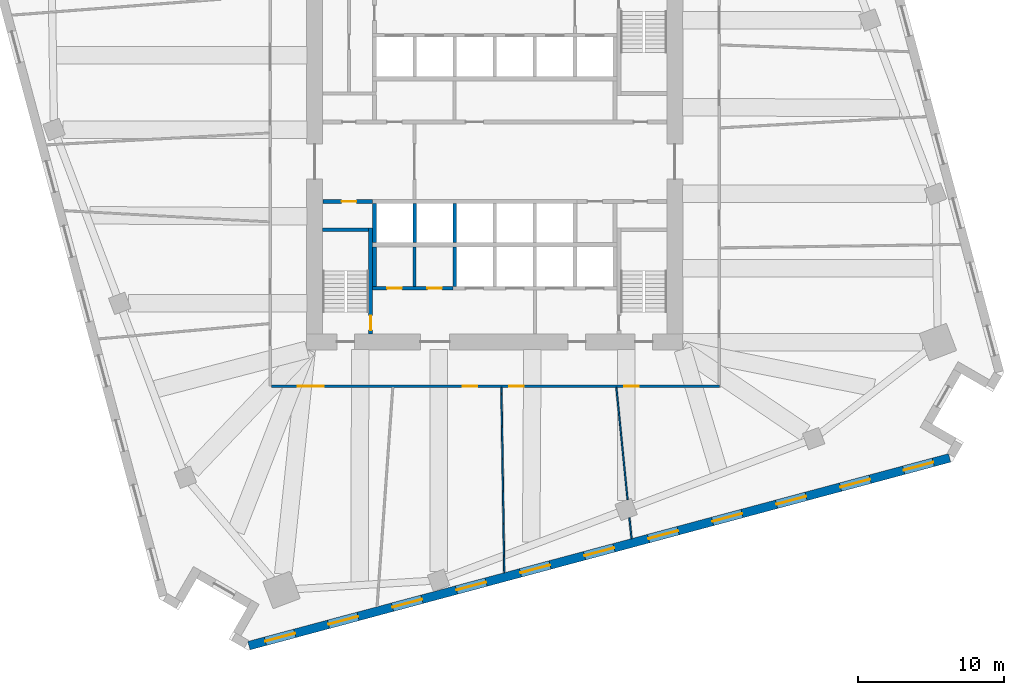
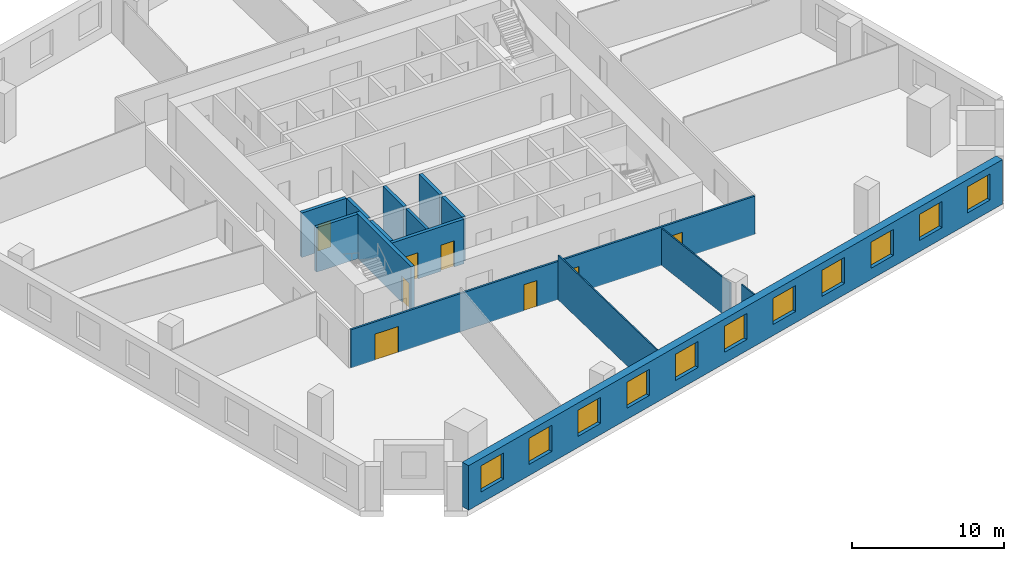
# One storey, part 6 of 13: 15 walls, 11 windows, 8 doors, 19 openings.
"""IFC4 building model written with IfcOpenShell, lengths in metres."""

from ifc_helpers import new_model, si_unit, direction, frame, frame_2d, origin, place, context, subcontext, project, spatial, rectangle, extrude, material, layer, layer_set, type_object, element, fill, save


model = new_model("IFC4")

# Units and contexts
model_context = context("Model", 3, precision=1e-05, world=origin(), true_north=direction((0.0, 1.0)))
body_context = subcontext(model_context, "Body", "Model", "MODEL_VIEW")
ifc_project = project(units=[si_unit("LENGTHUNIT", "METRE"), si_unit("AREAUNIT", "SQUARE_METRE"), si_unit("VOLUMEUNIT", "CUBIC_METRE"), si_unit("PLANEANGLEUNIT", "RADIAN"), si_unit("MASSUNIT", "GRAM", prefix="KILO")], contexts=[model_context])

# Site, building, storey
site_placement = place(None, origin())
site = spatial("IfcSite", under=ifc_project, at=site_placement, CompositionType="ELEMENT")
building_placement = place(site_placement, origin())
building = spatial("IfcBuilding", under=site, at=building_placement, Name="Dilmun Exchange Tower", CompositionType="ELEMENT")
storey_placement = place(building_placement, frame((0.0, 0.0, 86.10009765625)))
storey = spatial("IfcBuildingStorey", under=building, at=storey_placement, Name="L19", CompositionType="ELEMENT", Elevation=86.10009765625)

# Wall
ifc_material_1 = material(Name="Concrete C40/50", Category="concrete")
ifc_layer_1 = layer(ifc_material_1, 0.199951171875)
ifc_layer_set_1 = layer_set([ifc_layer_1], Name="Concrete C40/50")
wall_type_1 = type_object("IfcWallType", Name="Core partition wall 200", PredefinedType="PARTITIONING", material=ifc_layer_set_1)
wall_1_placement = place(storey_placement, frame((-5.5, -8.544921875, 0.0), z_axis=(0.0, 0.0, 1.0), x_axis=(0.0, 1.0, 0.0)))
element("IfcWall", 1, at=wall_1_placement, inside=storey, type_object=wall_type_1, Name="L19 core partition wall 04", PredefinedType="PARTITIONING", context=body_context, shape_type="SweptSolid", body=[
    extrude(rectangle(XDim=2.68994140625, YDim=0.199951171875, at=frame_2d((1.344970703125, 0.0))), origin(), (0.0, 0.0, 1.0), 3.579833984375),
])

# Wall, openings, doors
ifc_layer_2 = layer(ifc_material_1, 0.25)
ifc_layer_set_2 = layer_set([ifc_layer_2], Name="Concrete C40/50")
wall_type_2 = type_object("IfcWallType", Name="Core partition wall 250", PredefinedType="PARTITIONING", material=ifc_layer_set_2)
wall_2_placement = place(storey_placement, frame((-8.3701171875, -8.675048828125, 0.0), z_axis=(0.0, 0.0, 1.0), x_axis=(1.0, 0.0, 0.0)))
wall_2 = element("IfcWall", 2, at=wall_2_placement, inside=storey, type_object=wall_type_2, Name="L19 core partition wall 02", PredefinedType="PARTITIONING", context=body_context, shape_type="SweptSolid", body=[
    extrude(rectangle(XDim=5.490234375, YDim=0.25, at=frame_2d((2.7451171875, 0.0))), origin(), (0.0, 0.0, 1.0), 3.579833984375),
])
opening_1_placement = place(wall_2_placement, frame((0.9951171875, 0.0, 0.0)))
opening_1 = element("IfcOpeningElement", 3, at=opening_1_placement, cuts=wall_2, Name="Opening CD4", PredefinedType="OPENING", context=body_context, shape_type="SweptSolid", body=[
    extrude(rectangle(XDim=1.0, YDim=2.10009765625, at=frame_2d((0.5, 1.050048828125))), frame((0.0, 0.135009765625, 0.0), z_axis=(0.0, -1.0, 0.0), x_axis=(1.0, 0.0, 0.0)), (0.0, 0.0, 1.0), 0.27001953125),
])
opening_2_placement = place(wall_2_placement, frame((3.7451171875, 0.0, 0.0)))
opening_2 = element("IfcOpeningElement", 4, at=opening_2_placement, cuts=wall_2, Name="Opening CD4", PredefinedType="OPENING", context=body_context, shape_type="SweptSolid", body=[
    extrude(rectangle(XDim=1.0, YDim=2.10009765625, at=frame_2d((0.5, 1.050048828125))), frame((0.0, 0.135009765625, 0.0), z_axis=(0.0, -1.0, 0.0), x_axis=(1.0, 0.0, 0.0)), (0.0, 0.0, 1.0), 0.27001953125),
])
ifc_material_2 = material(Name="Fire-rated steel door set", Category="steel")
door_type_1 = type_object("IfcDoorType", Name="Core room door 1000x2100", OperationType="SINGLE_SWING_LEFT", PredefinedType="DOOR", material=ifc_material_2)
door_1_placement = place(opening_1_placement, origin())
door_1 = element("IfcDoor", 5, at=door_1_placement, inside=storey, type_object=door_type_1, Name="L19 door Male WC", OperationType="SINGLE_SWING_RIGHT", OverallHeight=2.10009765625, OverallWidth=1.0, PredefinedType="DOOR", context=body_context, shape_type="SweptSolid", body=[
    extrude(rectangle(XDim=1.0, YDim=2.10009765625, at=frame_2d((0.5, 1.050048828125))), frame((0.0, 0.02490234375, 0.0), z_axis=(0.0, -1.0, 0.0), x_axis=(1.0, 0.0, 0.0)), (0.0, 0.0, 1.0), 0.050048828125),
])
fill(opening_1, door_1)
door_2_placement = place(opening_2_placement, origin())
door_2 = element("IfcDoor", 6, at=door_2_placement, inside=storey, type_object=door_type_1, Name="L19 door Female WC", OperationType="SINGLE_SWING_RIGHT", OverallHeight=2.10009765625, OverallWidth=1.0, PredefinedType="DOOR", context=body_context, shape_type="SweptSolid", body=[
    extrude(rectangle(XDim=1.0, YDim=2.10009765625, at=frame_2d((0.5, 1.050048828125))), frame((0.0, 0.02490234375, 0.0), z_axis=(0.0, -1.0, 0.0), x_axis=(1.0, 0.0, 0.0)), (0.0, 0.0, 1.0), 0.050048828125),
])
fill(opening_2, door_2)

# Wall
wall_3_placement = place(storey_placement, frame((-8.25, -8.544921875, 0.0), z_axis=(0.0, 0.0, 1.0), x_axis=(0.0, 1.0, 0.0)))
element("IfcWall", 7, at=wall_3_placement, inside=storey, type_object=wall_type_2, Name="L19 core partition wall 03", PredefinedType="PARTITIONING", context=body_context, shape_type="SweptSolid", body=[
    extrude(rectangle(XDim=2.68994140625, YDim=0.25, at=frame_2d((1.344970703125, 0.0))), origin(), (0.0, 0.0, 1.0), 3.579833984375),
])

# Wall, opening, door
wall_4_placement = place(storey_placement, frame((-11.794921875, -2.72509765625, 0.0), z_axis=(0.0, 0.0, 1.0), x_axis=(1.0, 0.0, 0.0)))
wall_4 = element("IfcWall", 8, at=wall_4_placement, inside=storey, type_object=wall_type_2, Name="L19 core partition wall 06", PredefinedType="PARTITIONING", context=body_context, shape_type="SweptSolid", body=[
    extrude(rectangle(XDim=3.4150390625, YDim=0.25, at=frame_2d((1.70751953125, 0.0))), origin(), (0.0, 0.0, 1.0), 3.579833984375),
])
opening_3_placement = place(wall_4_placement, frame((1.294921875, 0.0, 0.0)))
opening_3 = element("IfcOpeningElement", 9, at=opening_3_placement, cuts=wall_4, Name="Opening CD4", PredefinedType="OPENING", context=body_context, shape_type="SweptSolid", body=[
    extrude(rectangle(XDim=1.0, YDim=2.10009765625, at=frame_2d((0.5, 1.050048828125))), frame((0.0, 0.135009765625, 0.0), z_axis=(0.0, -1.0, 0.0), x_axis=(1.0, 0.0, 0.0)), (0.0, 0.0, 1.0), 0.27001953125),
])
door_3_placement = place(opening_3_placement, origin())
door_3 = element("IfcDoor", 10, at=door_3_placement, inside=storey, type_object=door_type_1, Name="L19 door Accessible WC", OperationType="SINGLE_SWING_RIGHT", OverallHeight=2.10009765625, OverallWidth=1.0, PredefinedType="DOOR", context=body_context, shape_type="SweptSolid", body=[
    extrude(rectangle(XDim=1.0, YDim=2.10009765625, at=frame_2d((0.5, 1.050048828125))), frame((0.0, 0.02490234375, 0.0), z_axis=(0.0, -1.0, 0.0), x_axis=(1.0, 0.0, 0.0)), (0.0, 0.0, 1.0), 0.050048828125),
])
fill(opening_3, door_3)

# Wall, openings, doors
ifc_material_3 = material(Name="Corridor wall 150")
ifc_layer_3 = layer(ifc_material_3, 0.14990234375)
ifc_layer_set_3 = layer_set([ifc_layer_3], Name="Corridor wall 150")
wall_type_3 = type_object("IfcWallType", Name="Corridor wall 150", PredefinedType="PARTITIONING", material=ifc_layer_set_3)
wall_5_placement = place(storey_placement, frame((-15.324951171875, -15.39990234375, 0.0), z_axis=(0.0, 0.0, 1.0), x_axis=(1.0, 0.0, 0.0)))
wall_5 = element("IfcWall", 11, at=wall_5_placement, inside=storey, type_object=wall_type_3, Name="Corridor wall", PredefinedType="PARTITIONING", context=body_context, shape_type="SweptSolid", body=[
    extrude(rectangle(XDim=30.724853515625, YDim=0.14990234375, at=frame_2d((15.3623046875, 0.0))), origin(), (0.0, 0.0, 1.0), 3.079833984375),
])
opening_4_placement = place(wall_5_placement, frame((1.800048828125, 0.0, 0.0)))
opening_4 = element("IfcOpeningElement", 12, at=opening_4_placement, cuts=wall_5, Name="Opening TF18-D07", PredefinedType="OPENING", context=body_context, shape_type="SweptSolid", body=[
    extrude(rectangle(XDim=1.800048828125, YDim=2.10009765625, at=frame_2d((0.89990234375, 1.050048828125))), frame((0.0, 0.0849609375, 0.0), z_axis=(0.0, -1.0, 0.0), x_axis=(1.0, 0.0, 0.0)), (0.0, 0.0, 1.0), 0.169921875),
])
opening_5_placement = place(wall_5_placement, frame((13.13427734375, 0.0, 0.0)))
opening_5 = element("IfcOpeningElement", 13, at=opening_5_placement, cuts=wall_5, Name="Opening TF18-D10", PredefinedType="OPENING", context=body_context, shape_type="SweptSolid", body=[
    extrude(rectangle(XDim=1.0, YDim=2.10009765625, at=frame_2d((0.5, 1.050048828125))), frame((0.0, 0.0849609375, 0.0), z_axis=(0.0, -1.0, 0.0), x_axis=(1.0, 0.0, 0.0)), (0.0, 0.0, 1.0), 0.169921875),
])
opening_6_placement = place(wall_5_placement, frame((16.329345703125, 0.0, 0.0)))
opening_6 = element("IfcOpeningElement", 14, at=opening_6_placement, cuts=wall_5, Name="Opening TF18-D12", PredefinedType="OPENING", context=body_context, shape_type="SweptSolid", body=[
    extrude(rectangle(XDim=1.0, YDim=2.10009765625, at=frame_2d((0.5, 1.050048828125))), frame((0.0, 0.0849609375, 0.0), z_axis=(0.0, -1.0, 0.0), x_axis=(1.0, 0.0, 0.0)), (0.0, 0.0, 1.0), 0.169921875),
])
opening_7_placement = place(wall_5_placement, frame((24.20751953125, 0.0, 0.0)))
opening_7 = element("IfcOpeningElement", 15, at=opening_7_placement, cuts=wall_5, Name="Opening TF18-D17", PredefinedType="OPENING", context=body_context, shape_type="SweptSolid", body=[
    extrude(rectangle(XDim=1.0, YDim=2.10009765625, at=frame_2d((0.5, 1.050048828125))), frame((0.0, 0.0849609375, 0.0), z_axis=(0.0, -1.0, 0.0), x_axis=(1.0, 0.0, 0.0)), (0.0, 0.0, 1.0), 0.169921875),
])
ifc_material_4 = material(Name="Fire door 1000 x 2100")
door_type_2 = type_object("IfcDoorType", Name="Fire door 1000 x 2100", OperationType="NOTDEFINED", PredefinedType="DOOR", material=ifc_material_4)
door_4_placement = place(opening_5_placement, frame((1.0, 0.0, 0.0), z_axis=(0.0, 0.0, 1.0), x_axis=(-1.0, 0.0, 0.0)))
door_4 = element("IfcDoor", 16, at=door_4_placement, inside=storey, type_object=door_type_2, Name="Door TF18-D10", OperationType="SINGLE_SWING_LEFT", OverallHeight=2.10009765625, OverallWidth=1.0, PredefinedType="DOOR", context=body_context, shape_type="SweptSolid", body=[
    extrude(rectangle(XDim=1.0, YDim=2.10009765625, at=frame_2d((0.5, 1.050048828125))), frame((0.0, 0.02490234375, 0.0), z_axis=(0.0, -1.0, 0.0), x_axis=(1.0, 0.0, 0.0)), (0.0, 0.0, 1.0), 0.050048828125),
])
fill(opening_5, door_4)
door_5_placement = place(opening_6_placement, frame((1.0, 0.0, 0.0), z_axis=(0.0, 0.0, 1.0), x_axis=(-1.0, 0.0, 0.0)))
door_5 = element("IfcDoor", 17, at=door_5_placement, inside=storey, type_object=door_type_2, Name="Door TF18-D12", OperationType="SINGLE_SWING_RIGHT", OverallHeight=2.10009765625, OverallWidth=1.0, PredefinedType="DOOR", context=body_context, shape_type="SweptSolid", body=[
    extrude(rectangle(XDim=1.0, YDim=2.10009765625, at=frame_2d((0.5, 1.050048828125))), frame((0.0, 0.02490234375, 0.0), z_axis=(0.0, -1.0, 0.0), x_axis=(1.0, 0.0, 0.0)), (0.0, 0.0, 1.0), 0.050048828125),
])
fill(opening_6, door_5)
door_6_placement = place(opening_7_placement, frame((1.0, 0.0, 0.0), z_axis=(0.0, 0.0, 1.0), x_axis=(-1.0, 0.0, 0.0)))
door_6 = element("IfcDoor", 18, at=door_6_placement, inside=storey, type_object=door_type_2, Name="Door TF18-D17", OperationType="SINGLE_SWING_LEFT", OverallHeight=2.10009765625, OverallWidth=1.0, PredefinedType="DOOR", context=body_context, shape_type="SweptSolid", body=[
    extrude(rectangle(XDim=1.0, YDim=2.10009765625, at=frame_2d((0.5, 1.050048828125))), frame((0.0, 0.02490234375, 0.0), z_axis=(0.0, -1.0, 0.0), x_axis=(1.0, 0.0, 0.0)), (0.0, 0.0, 1.0), 0.050048828125),
])
fill(opening_7, door_6)
ifc_material_5 = material(Name="Fire door pair 1800 x 2100")
door_type_3 = type_object("IfcDoorType", Name="Fire door pair 1800 x 2100", OperationType="NOTDEFINED", PredefinedType="DOOR", material=ifc_material_5)
door_7_placement = place(opening_4_placement, frame((1.800048828125, 0.0, 0.0), z_axis=(0.0, 0.0, 1.0), x_axis=(-1.0, 0.0, 0.0)))
door_7 = element("IfcDoor", 19, at=door_7_placement, inside=storey, type_object=door_type_3, Name="Door TF18-D07", OperationType="DOUBLE_DOOR_SINGLE_SWING", OverallHeight=2.10009765625, OverallWidth=1.800048828125, PredefinedType="DOOR", context=body_context, shape_type="SweptSolid", body=[
    extrude(rectangle(XDim=1.800048828125, YDim=2.10009765625, at=frame_2d((0.89990234375, 1.050048828125))), frame((0.0, 0.02490234375, 0.0), z_axis=(0.0, -1.0, 0.0), x_axis=(1.0, 0.0, 0.0)), (0.0, 0.0, 1.0), 0.050048828125),
])
fill(opening_4, door_7)

# Walls
ifc_layer_4 = layer(ifc_material_1, 0.25)
ifc_layer_set_4 = layer_set([ifc_layer_4], Name="Concrete C40/50")
wall_type_4 = type_object("IfcWallType", Name="Lift shaft wall 250", PredefinedType="SOLIDWALL", material=ifc_layer_set_4)
for number, where, z_axis, x_axis, name in (
    (20, (-8.25, -5.550048828125, 0.0), (0.0, 0.0, 1.0), (0.0, 1.0, 0.0), "L19 lift shaft divider S10"),
    (21, (-5.5, -5.550048828125, 0.0), (0.0, 0.0, 1.0), (0.0, 1.0, 0.0), "L19 lift shaft divider S11"),
    (22, (-2.75, -5.550048828125, 0.0), (0.0, 0.0, 1.0), (0.0, 1.0, 0.0), "L19 lift shaft divider S12"),
    (23, (-2.75, -8.550048828125, 0.0), (0.0, 0.0, 1.0), (0.0, 1.0, 0.0), "L19 lift shaft divider S22"),
):
    element("IfcWall", number, at=place(storey_placement, frame(where, z_axis=z_axis, x_axis=x_axis)), inside=storey, type_object=wall_type_4, Name=name, PredefinedType="SOLIDWALL", context=body_context, shape_type="SweptSolid", body=[
        extrude(rectangle(XDim=2.699951171875, YDim=0.25, at=frame_2d((1.35009765625, 0.0))), origin(), (0.0, 0.0, 1.0), 3.579833984375),
    ])
ifc_material_6 = material(Name="Partition 100")
ifc_layer_5 = layer(ifc_material_6, 0.10009765625)
ifc_layer_set_5 = layer_set([ifc_layer_5], Name="Partition 100")
wall_type_5 = type_object("IfcWallType", Name="Partition 100", PredefinedType="PARTITIONING", material=ifc_layer_set_5)
wall_6_placement = place(storey_placement, frame((0.455078125, -15.475830078125, 0.0), z_axis=(0.0, 0.0, 1.0), x_axis=(0.015436837746, -0.999880844921, 0.0)))
element("IfcWall", 24, at=wall_6_placement, inside=storey, type_object=wall_type_5, Name="Partition", PredefinedType="PARTITIONING", context=body_context, shape_type="SweptSolid", body=[
    extrude(rectangle(XDim=12.715576171875, YDim=0.10009765625, at=frame_2d((6.35791015625, 0.0))), origin(), (0.0, 0.0, 1.0), 3.579833984375),
])
wall_7_placement = place(storey_placement, frame((8.340087890625, -15.47998046875, 0.0), z_axis=(0.0, 0.0, 1.0), x_axis=(0.09998194497, -0.99498925154, 0.0)))
element("IfcWall", 25, at=wall_7_placement, inside=storey, type_object=wall_type_5, Name="Partition", PredefinedType="PARTITIONING", context=body_context, shape_type="SweptSolid", body=[
    extrude(rectangle(XDim=7.7333984375, YDim=0.10009765625, at=frame_2d((3.86669921875, 0.0))), origin(), (0.0, 0.0, 1.0), 2.9599609375),
])
wall_8_placement = place(storey_placement, frame((9.2373046875, -24.410400390625, 0.0), z_axis=(0.0, 0.0, 1.0), x_axis=(0.100021406051, -0.994985285485, 0.0)))
element("IfcWall", 26, at=wall_8_placement, inside=storey, type_object=wall_type_5, Name="Partition", PredefinedType="PARTITIONING", context=body_context, shape_type="SweptSolid", body=[
    extrude(rectangle(XDim=1.447509765625, YDim=0.10009765625, at=frame_2d((0.7236328125, 0.0))), origin(), (0.0, 0.0, 1.0), 3.579833984375),
])

# Wall, openings, windows
ifc_material_7 = material(Name="Precast concrete C50/60", Category="concrete")
ifc_layer_6 = layer(ifc_material_7, 0.60009765625)
ifc_layer_set_6 = layer_set([ifc_layer_6], Name="Precast concrete C50/60")
wall_type_6 = type_object("IfcWallType", Name="Precast stone-clad wall 600", PredefinedType="STANDARD", material=ifc_layer_set_6)
wall_9_placement = place(storey_placement, frame((-16.85888671875, -33.194580078125, 0.0), z_axis=(0.0, 0.0, 1.0), x_axis=(0.965925643605, 0.258819726887, 0.0)))
wall_9 = element("IfcWall", 27, at=wall_9_placement, inside=storey, type_object=wall_type_6, Name="Facade wall L19-15", PredefinedType="STANDARD", context=body_context, shape_type="SweptSolid", body=[
    extrude(rectangle(XDim=49.751708984375, YDim=0.60009765625, at=frame_2d((24.8759765625, 0.0))), origin(), (0.0, 0.0, 1.0), 3.579833984375),
])
opening_8_placement = place(wall_9_placement, frame((1.16064453125, 0.0, 0.89990234375)))
opening_8 = element("IfcOpeningElement", 28, at=opening_8_placement, cuts=wall_9, Name="Opening W210-210", PredefinedType="OPENING", context=body_context, shape_type="SweptSolid", body=[
    extrude(rectangle(XDim=2.10009765625, YDim=2.10009765625, at=frame_2d((1.050048828125, 1.050048828125))), frame((0.0, 0.31005859375, 0.0), z_axis=(0.0, -1.0, 0.0), x_axis=(1.0, 0.0, 0.0)), (0.0, 0.0, 1.0), 0.6201171875),
])
opening_9_placement = place(wall_9_placement, frame((5.643798828125, 0.0, 0.89990234375)))
opening_9 = element("IfcOpeningElement", 29, at=opening_9_placement, cuts=wall_9, Name="Opening W210-210", PredefinedType="OPENING", context=body_context, shape_type="SweptSolid", body=[
    extrude(rectangle(XDim=2.10009765625, YDim=2.10009765625, at=frame_2d((1.050048828125, 1.050048828125))), frame((0.0, 0.31005859375, 0.0), z_axis=(0.0, -1.0, 0.0), x_axis=(1.0, 0.0, 0.0)), (0.0, 0.0, 1.0), 0.6201171875),
])
opening_10_placement = place(wall_9_placement, frame((10.189453125, 0.0, 0.89990234375)))
opening_10 = element("IfcOpeningElement", 30, at=opening_10_placement, cuts=wall_9, Name="Opening W210-210", PredefinedType="OPENING", context=body_context, shape_type="SweptSolid", body=[
    extrude(rectangle(XDim=2.10009765625, YDim=2.10009765625, at=frame_2d((1.050048828125, 1.050048828125))), frame((0.0, 0.31005859375, 0.0), z_axis=(0.0, -1.0, 0.0), x_axis=(1.0, 0.0, 0.0)), (0.0, 0.0, 1.0), 0.6201171875),
])
opening_11_placement = place(wall_9_placement, frame((14.73486328125, 0.0, 0.89990234375)))
opening_11 = element("IfcOpeningElement", 31, at=opening_11_placement, cuts=wall_9, Name="Opening W210-210", PredefinedType="OPENING", context=body_context, shape_type="SweptSolid", body=[
    extrude(rectangle(XDim=2.10009765625, YDim=2.10009765625, at=frame_2d((1.050048828125, 1.050048828125))), frame((0.0, 0.31005859375, 0.0), z_axis=(0.0, -1.0, 0.0), x_axis=(1.0, 0.0, 0.0)), (0.0, 0.0, 1.0), 0.6201171875),
])
opening_12_placement = place(wall_9_placement, frame((19.2802734375, 0.0, 0.89990234375)))
opening_12 = element("IfcOpeningElement", 32, at=opening_12_placement, cuts=wall_9, Name="Opening W210-210", PredefinedType="OPENING", context=body_context, shape_type="SweptSolid", body=[
    extrude(rectangle(XDim=2.10009765625, YDim=2.10009765625, at=frame_2d((1.050048828125, 1.050048828125))), frame((0.0, 0.31005859375, 0.0), z_axis=(0.0, -1.0, 0.0), x_axis=(1.0, 0.0, 0.0)), (0.0, 0.0, 1.0), 0.6201171875),
])
opening_13_placement = place(wall_9_placement, frame((23.82568359375, 0.0, 0.89990234375)))
opening_13 = element("IfcOpeningElement", 33, at=opening_13_placement, cuts=wall_9, Name="Opening W210-210", PredefinedType="OPENING", context=body_context, shape_type="SweptSolid", body=[
    extrude(rectangle(XDim=2.10009765625, YDim=2.10009765625, at=frame_2d((1.050048828125, 1.050048828125))), frame((0.0, 0.31005859375, 0.0), z_axis=(0.0, -1.0, 0.0), x_axis=(1.0, 0.0, 0.0)), (0.0, 0.0, 1.0), 0.6201171875),
])
opening_14_placement = place(wall_9_placement, frame((28.37109375, 0.0, 0.89990234375)))
opening_14 = element("IfcOpeningElement", 34, at=opening_14_placement, cuts=wall_9, Name="Opening W210-210", PredefinedType="OPENING", context=body_context, shape_type="SweptSolid", body=[
    extrude(rectangle(XDim=2.10009765625, YDim=2.10009765625, at=frame_2d((1.050048828125, 1.050048828125))), frame((0.0, 0.31005859375, 0.0), z_axis=(0.0, -1.0, 0.0), x_axis=(1.0, 0.0, 0.0)), (0.0, 0.0, 1.0), 0.6201171875),
])
opening_15_placement = place(wall_9_placement, frame((32.91650390625, 0.0, 0.89990234375)))
opening_15 = element("IfcOpeningElement", 35, at=opening_15_placement, cuts=wall_9, Name="Opening W210-210", PredefinedType="OPENING", context=body_context, shape_type="SweptSolid", body=[
    extrude(rectangle(XDim=2.10009765625, YDim=2.10009765625, at=frame_2d((1.050048828125, 1.050048828125))), frame((0.0, 0.31005859375, 0.0), z_axis=(0.0, -1.0, 0.0), x_axis=(1.0, 0.0, 0.0)), (0.0, 0.0, 1.0), 0.6201171875),
])
opening_16_placement = place(wall_9_placement, frame((37.462158203125, 0.0, 0.89990234375)))
opening_16 = element("IfcOpeningElement", 36, at=opening_16_placement, cuts=wall_9, Name="Opening W210-210", PredefinedType="OPENING", context=body_context, shape_type="SweptSolid", body=[
    extrude(rectangle(XDim=2.10009765625, YDim=2.10009765625, at=frame_2d((1.050048828125, 1.050048828125))), frame((0.0, 0.31005859375, 0.0), z_axis=(0.0, -1.0, 0.0), x_axis=(1.0, 0.0, 0.0)), (0.0, 0.0, 1.0), 0.6201171875),
])
opening_17_placement = place(wall_9_placement, frame((42.007568359375, 0.0, 0.89990234375)))
opening_17 = element("IfcOpeningElement", 37, at=opening_17_placement, cuts=wall_9, Name="Opening W210-210", PredefinedType="OPENING", context=body_context, shape_type="SweptSolid", body=[
    extrude(rectangle(XDim=2.10009765625, YDim=2.10009765625, at=frame_2d((1.050048828125, 1.050048828125))), frame((0.0, 0.31005859375, 0.0), z_axis=(0.0, -1.0, 0.0), x_axis=(1.0, 0.0, 0.0)), (0.0, 0.0, 1.0), 0.6201171875),
])
opening_18_placement = place(wall_9_placement, frame((46.490966796875, 0.0, 0.89990234375)))
opening_18 = element("IfcOpeningElement", 38, at=opening_18_placement, cuts=wall_9, Name="Opening W210-210", PredefinedType="OPENING", context=body_context, shape_type="SweptSolid", body=[
    extrude(rectangle(XDim=2.10009765625, YDim=2.10009765625, at=frame_2d((1.050048828125, 1.050048828125))), frame((0.0, 0.31005859375, 0.0), z_axis=(0.0, -1.0, 0.0), x_axis=(1.0, 0.0, 0.0)), (0.0, 0.0, 1.0), 0.6201171875),
])
ifc_material_8 = material(Name="Clear low-emissivity glass in aluminium frame", Category="aluminium")
window_type = type_object("IfcWindowType", Name="Punched window 2100 x 2100", PartitioningType="DOUBLE_PANEL_VERTICAL", PredefinedType="WINDOW", material=ifc_material_8)
window_1_placement = place(opening_8_placement, origin())
window_1 = element("IfcWindow", 39, at=window_1_placement, inside=storey, type_object=window_type, Name="Window 16.1", OverallHeight=2.10009765625, OverallWidth=2.10009765625, PartitioningType="SINGLE_PANEL", PredefinedType="WINDOW", context=body_context, shape_type="SweptSolid", body=[
    extrude(rectangle(XDim=2.10009765625, YDim=2.10009765625, at=frame_2d((1.050048828125, 1.050048828125))), frame((0.0, 0.030029296875, 0.0), z_axis=(0.0, -1.0, 0.0), x_axis=(1.0, 0.0, 0.0)), (0.0, 0.0, 1.0), 0.06005859375),
])
fill(opening_8, window_1)
window_2_placement = place(opening_9_placement, origin())
window_2 = element("IfcWindow", 40, at=window_2_placement, inside=storey, type_object=window_type, Name="Window 16.2", OverallHeight=2.10009765625, OverallWidth=2.10009765625, PartitioningType="SINGLE_PANEL", PredefinedType="WINDOW", context=body_context, shape_type="SweptSolid", body=[
    extrude(rectangle(XDim=2.10009765625, YDim=2.10009765625, at=frame_2d((1.050048828125, 1.050048828125))), frame((0.0, 0.030029296875, 0.0), z_axis=(0.0, -1.0, 0.0), x_axis=(1.0, 0.0, 0.0)), (0.0, 0.0, 1.0), 0.06005859375),
])
fill(opening_9, window_2)
window_3_placement = place(opening_10_placement, origin())
window_3 = element("IfcWindow", 41, at=window_3_placement, inside=storey, type_object=window_type, Name="Window 16.3", OverallHeight=2.10009765625, OverallWidth=2.10009765625, PartitioningType="SINGLE_PANEL", PredefinedType="WINDOW", context=body_context, shape_type="SweptSolid", body=[
    extrude(rectangle(XDim=2.10009765625, YDim=2.10009765625, at=frame_2d((1.050048828125, 1.050048828125))), frame((0.0, 0.030029296875, 0.0), z_axis=(0.0, -1.0, 0.0), x_axis=(1.0, 0.0, 0.0)), (0.0, 0.0, 1.0), 0.06005859375),
])
fill(opening_10, window_3)
window_4_placement = place(opening_11_placement, origin())
window_4 = element("IfcWindow", 42, at=window_4_placement, inside=storey, type_object=window_type, Name="Window 16.4", OverallHeight=2.10009765625, OverallWidth=2.10009765625, PartitioningType="SINGLE_PANEL", PredefinedType="WINDOW", context=body_context, shape_type="SweptSolid", body=[
    extrude(rectangle(XDim=2.10009765625, YDim=2.10009765625, at=frame_2d((1.050048828125, 1.050048828125))), frame((0.0, 0.030029296875, 0.0), z_axis=(0.0, -1.0, 0.0), x_axis=(1.0, 0.0, 0.0)), (0.0, 0.0, 1.0), 0.06005859375),
])
fill(opening_11, window_4)
window_5_placement = place(opening_12_placement, origin())
window_5 = element("IfcWindow", 43, at=window_5_placement, inside=storey, type_object=window_type, Name="Window 16.5", OverallHeight=2.10009765625, OverallWidth=2.10009765625, PartitioningType="SINGLE_PANEL", PredefinedType="WINDOW", context=body_context, shape_type="SweptSolid", body=[
    extrude(rectangle(XDim=2.10009765625, YDim=2.10009765625, at=frame_2d((1.050048828125, 1.050048828125))), frame((0.0, 0.030029296875, 0.0), z_axis=(0.0, -1.0, 0.0), x_axis=(1.0, 0.0, 0.0)), (0.0, 0.0, 1.0), 0.06005859375),
])
fill(opening_12, window_5)
window_6_placement = place(opening_13_placement, origin())
window_6 = element("IfcWindow", 44, at=window_6_placement, inside=storey, type_object=window_type, Name="Window 16.6", OverallHeight=2.10009765625, OverallWidth=2.10009765625, PartitioningType="SINGLE_PANEL", PredefinedType="WINDOW", context=body_context, shape_type="SweptSolid", body=[
    extrude(rectangle(XDim=2.10009765625, YDim=2.10009765625, at=frame_2d((1.050048828125, 1.050048828125))), frame((0.0, 0.030029296875, 0.0), z_axis=(0.0, -1.0, 0.0), x_axis=(1.0, 0.0, 0.0)), (0.0, 0.0, 1.0), 0.06005859375),
])
fill(opening_13, window_6)
window_7_placement = place(opening_14_placement, origin())
window_7 = element("IfcWindow", 45, at=window_7_placement, inside=storey, type_object=window_type, Name="Window 16.7", OverallHeight=2.10009765625, OverallWidth=2.10009765625, PartitioningType="SINGLE_PANEL", PredefinedType="WINDOW", context=body_context, shape_type="SweptSolid", body=[
    extrude(rectangle(XDim=2.10009765625, YDim=2.10009765625, at=frame_2d((1.050048828125, 1.050048828125))), frame((0.0, 0.030029296875, 0.0), z_axis=(0.0, -1.0, 0.0), x_axis=(1.0, 0.0, 0.0)), (0.0, 0.0, 1.0), 0.06005859375),
])
fill(opening_14, window_7)
window_8_placement = place(opening_15_placement, origin())
window_8 = element("IfcWindow", 46, at=window_8_placement, inside=storey, type_object=window_type, Name="Window 16.8", OverallHeight=2.10009765625, OverallWidth=2.10009765625, PartitioningType="SINGLE_PANEL", PredefinedType="WINDOW", context=body_context, shape_type="SweptSolid", body=[
    extrude(rectangle(XDim=2.10009765625, YDim=2.10009765625, at=frame_2d((1.050048828125, 1.050048828125))), frame((0.0, 0.030029296875, 0.0), z_axis=(0.0, -1.0, 0.0), x_axis=(1.0, 0.0, 0.0)), (0.0, 0.0, 1.0), 0.06005859375),
])
fill(opening_15, window_8)
window_9_placement = place(opening_16_placement, origin())
window_9 = element("IfcWindow", 47, at=window_9_placement, inside=storey, type_object=window_type, Name="Window 16.9", OverallHeight=2.10009765625, OverallWidth=2.10009765625, PartitioningType="SINGLE_PANEL", PredefinedType="WINDOW", context=body_context, shape_type="SweptSolid", body=[
    extrude(rectangle(XDim=2.10009765625, YDim=2.10009765625, at=frame_2d((1.050048828125, 1.050048828125))), frame((0.0, 0.030029296875, 0.0), z_axis=(0.0, -1.0, 0.0), x_axis=(1.0, 0.0, 0.0)), (0.0, 0.0, 1.0), 0.06005859375),
])
fill(opening_16, window_9)
window_10_placement = place(opening_17_placement, origin())
window_10 = element("IfcWindow", 48, at=window_10_placement, inside=storey, type_object=window_type, Name="Window 16.10", OverallHeight=2.10009765625, OverallWidth=2.10009765625, PartitioningType="SINGLE_PANEL", PredefinedType="WINDOW", context=body_context, shape_type="SweptSolid", body=[
    extrude(rectangle(XDim=2.10009765625, YDim=2.10009765625, at=frame_2d((1.050048828125, 1.050048828125))), frame((0.0, 0.030029296875, 0.0), z_axis=(0.0, -1.0, 0.0), x_axis=(1.0, 0.0, 0.0)), (0.0, 0.0, 1.0), 0.06005859375),
])
fill(opening_17, window_10)
window_11_placement = place(opening_18_placement, origin())
window_11 = element("IfcWindow", 49, at=window_11_placement, inside=storey, type_object=window_type, Name="Window 16.11", OverallHeight=2.10009765625, OverallWidth=2.10009765625, PartitioningType="SINGLE_PANEL", PredefinedType="WINDOW", context=body_context, shape_type="SweptSolid", body=[
    extrude(rectangle(XDim=2.10009765625, YDim=2.10009765625, at=frame_2d((1.050048828125, 1.050048828125))), frame((0.0, 0.030029296875, 0.0), z_axis=(0.0, -1.0, 0.0), x_axis=(1.0, 0.0, 0.0)), (0.0, 0.0, 1.0), 0.06005859375),
])
fill(opening_18, window_11)

# Wall
ifc_layer_7 = layer(ifc_material_1, 0.25)
ifc_layer_set_7 = layer_set([ifc_layer_7], Name="Concrete C40/50")
wall_type_7 = type_object("IfcWallType", Name="Stair end wall 250", PredefinedType="SOLIDWALL", material=ifc_layer_set_7)
wall_10_placement = place(storey_placement, frame((-8.64990234375, -4.675048828125, 0.0), z_axis=(0.0, 0.0, 1.0), x_axis=(-1.0, 0.0, 0.0)))
element("IfcWall", 50, at=wall_10_placement, inside=storey, type_object=wall_type_7, Name="L19 ST2 far wall", PredefinedType="SOLIDWALL", context=body_context, shape_type="SweptSolid", body=[
    extrude(rectangle(XDim=3.150146484375, YDim=0.25, at=frame_2d((1.5751953125, 0.0))), origin(), (0.0, 0.0, 1.0), 3.579833984375),
])

# Wall, opening, door
ifc_layer_8 = layer(ifc_material_1, 0.27490234375)
ifc_layer_set_8 = layer_set([ifc_layer_8], Name="Concrete C40/50")
wall_type_8 = type_object("IfcWallType", Name="Stair wall 275", PredefinedType="SOLIDWALL", material=ifc_layer_set_8)
wall_11_placement = place(storey_placement, frame((-8.512451171875, -4.550048828125, 0.0), z_axis=(0.0, 0.0, 1.0), x_axis=(0.0, -1.0, 0.0)))
wall_11 = element("IfcWall", 51, at=wall_11_placement, inside=storey, type_object=wall_type_8, Name="L19 ST2 wall to lift block", PredefinedType="SOLIDWALL", context=body_context, shape_type="SweptSolid", body=[
    extrude(rectangle(XDim=7.25, YDim=0.27490234375, at=frame_2d((3.625, 0.0))), origin(), (0.0, 0.0, 1.0), 3.579833984375),
])
opening_19_placement = place(wall_11_placement, frame((6.0, 0.0, 0.0)))
opening_19 = element("IfcOpeningElement", 52, at=opening_19_placement, cuts=wall_11, Name="Opening CD4", PredefinedType="OPENING", context=body_context, shape_type="SweptSolid", body=[
    extrude(rectangle(XDim=1.0, YDim=2.10009765625, at=frame_2d((0.5, 1.050048828125))), frame((0.0, 0.1474609375, 0.0), z_axis=(0.0, -1.0, 0.0), x_axis=(1.0, 0.0, 0.0)), (0.0, 0.0, 1.0), 0.294921875),
])
door_8_placement = place(opening_19_placement, origin())
door_8 = element("IfcDoor", 53, at=door_8_placement, inside=storey, type_object=door_type_1, Name="L19 door ST2 from lobby", OperationType="SINGLE_SWING_LEFT", OverallHeight=2.10009765625, OverallWidth=1.0, PredefinedType="DOOR", context=body_context, shape_type="SweptSolid", body=[
    extrude(rectangle(XDim=1.0, YDim=2.10009765625, at=frame_2d((0.5, 1.050048828125))), frame((0.0, 0.02490234375, 0.0), z_axis=(0.0, -1.0, 0.0), x_axis=(1.0, 0.0, 0.0)), (0.0, 0.0, 1.0), 0.050048828125),
])
fill(opening_19, door_8)

save(model, "model.ifc")
